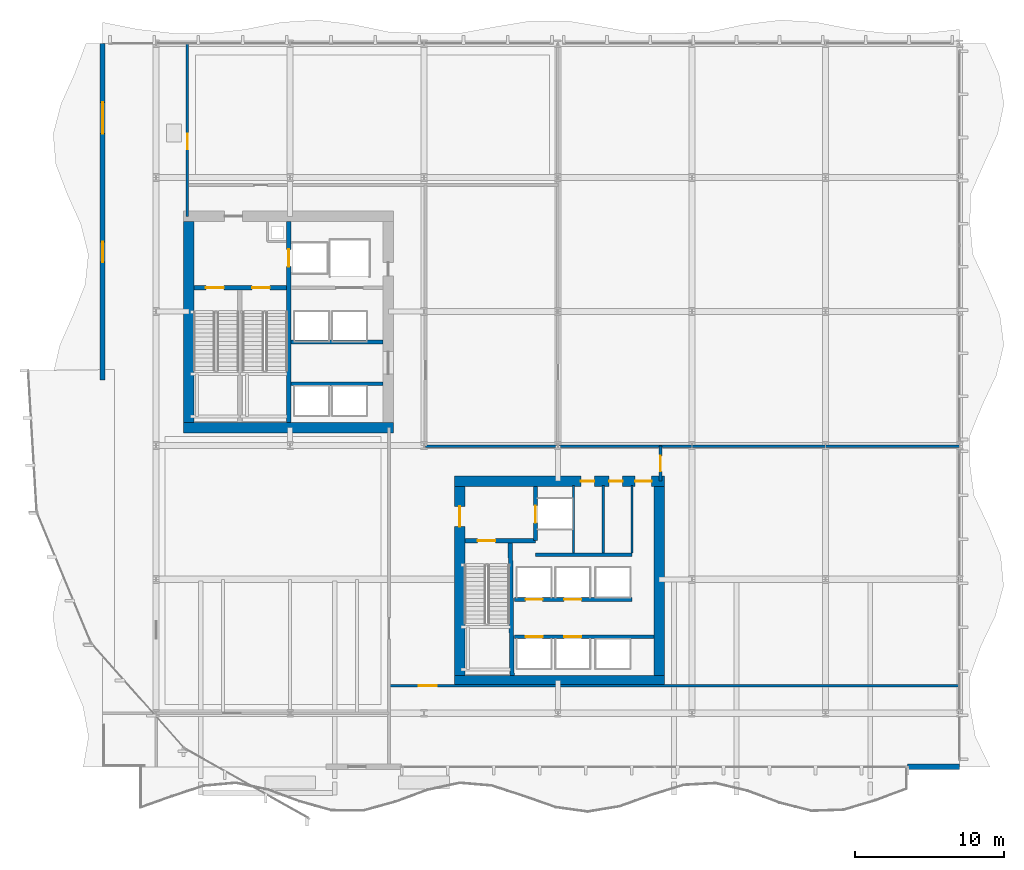
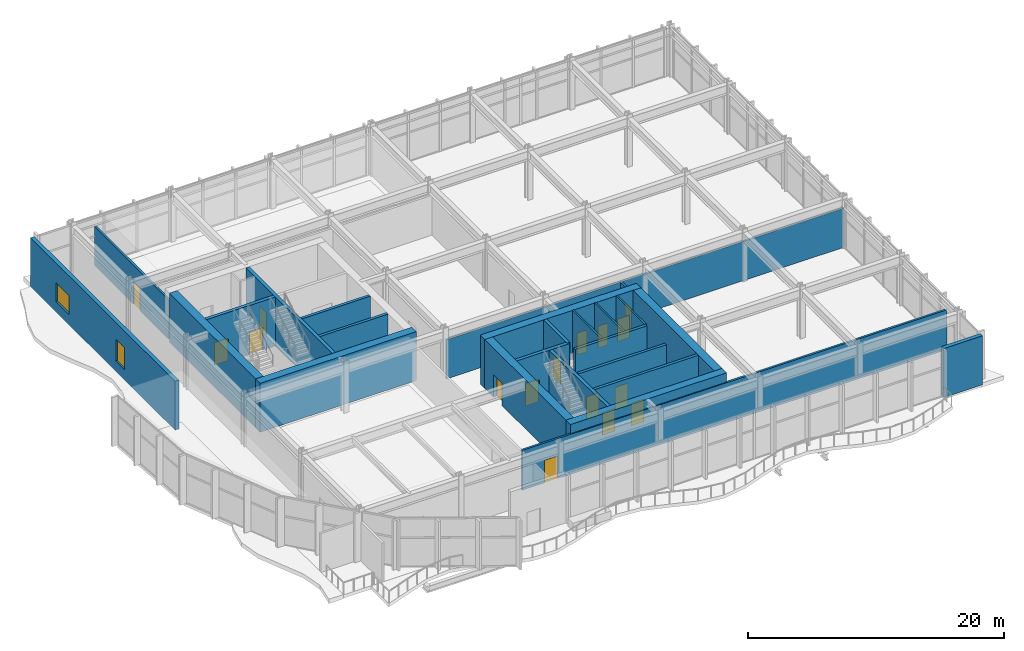
# One storey, part 20 of 28: 25 walls, 16 doors, 2 windows, 18 openings.
"""IFC4 building model written with IfcOpenShell, lengths in metres."""

from ifc_helpers import new_model, si_unit, direction, frame, frame_2d, origin, place, context, subcontext, project, spatial, rectangle, extrude, material, layer, layer_set, type_object, element, fill, save


model = new_model("IFC4")

# Units and contexts
model_context = context("Model", 3, precision=1e-05, world=origin(), true_north=direction((0.0, 1.0)))
body_context = subcontext(model_context, "Body", "Model", "MODEL_VIEW")
ifc_project = project(units=[si_unit("LENGTHUNIT", "METRE"), si_unit("AREAUNIT", "SQUARE_METRE"), si_unit("VOLUMEUNIT", "CUBIC_METRE"), si_unit("PLANEANGLEUNIT", "RADIAN"), si_unit("MASSUNIT", "GRAM", prefix="KILO")], contexts=[model_context])

# Site, building, storey
site_placement = place(None, origin())
site = spatial("IfcSite", under=ifc_project, at=site_placement, CompositionType="ELEMENT")
building_placement = place(site_placement, origin())
building = spatial("IfcBuilding", under=site, at=building_placement, Name="Solvaryn Broadcast Tower", CompositionType="ELEMENT")
storey_placement = place(building_placement, frame((0.0, 0.0, 16.199951171875)))
storey = spatial("IfcBuildingStorey", under=building, at=storey_placement, Name="L03", CompositionType="ELEMENT", Elevation=16.199951171875)

# Walls
ifc_material_1 = material(Name="Concrete f'c 70 MPa", Category="concrete")
ifc_layer_1 = layer(ifc_material_1, 0.699951171875)
ifc_layer_set_1 = layer_set([ifc_layer_1], Name="CW-SHEAR-700")
wall_type_1 = type_object("IfcWallType", Name="CW-SHEAR-700", PredefinedType="SHEAR", material=ifc_layer_set_1)
wall_1_placement = place(storey_placement, frame((10.85009765625, 28.199951171875, 0.0), z_axis=(0.0, 0.0, 1.0), x_axis=(1.0, 0.0, 0.0)))
element("IfcWall", 1, at=wall_1_placement, inside=storey, type_object=wall_type_1, Name="L03 West Core South Shear Wall", PredefinedType="SHEAR", context=body_context, shape_type="SweptSolid", body=[
    extrude(rectangle(XDim=14.099853515625, YDim=0.699951171875, at=frame_2d((7.0498046875, 0.0))), origin(), (0.0, 0.0, 1.0), 4.679931640625),
])
wall_2_placement = place(storey_placement, frame((11.199951171875, 42.050048828125, 0.0), z_axis=(0.0, 0.0, 1.0), x_axis=(0.0, -1.0, 0.0)))
element("IfcWall", 2, at=wall_2_placement, inside=storey, type_object=wall_type_1, Name="L03 West Core West Shear Wall", PredefinedType="SHEAR", context=body_context, shape_type="SweptSolid", body=[
    extrude(rectangle(XDim=13.5, YDim=0.699951171875, at=frame_2d((6.75, 0.0))), origin(), (0.0, 0.0, 1.0), 4.679931640625),
])
wall_3_placement = place(storey_placement, frame((29.050048828125, 11.199951171875, 0.0), z_axis=(0.0, 0.0, 1.0), x_axis=(1.0, 0.0, 0.0)))
element("IfcWall", 3, at=wall_3_placement, inside=storey, type_object=wall_type_1, Name="L03 East Core South Shear Wall", PredefinedType="SHEAR", context=body_context, shape_type="SweptSolid", body=[
    extrude(rectangle(XDim=14.099853515625, YDim=0.699951171875, at=frame_2d((7.0498046875, 0.0))), origin(), (0.0, 0.0, 1.0), 4.679931640625),
])

# Wall, openings, doors
wall_4_placement = place(storey_placement, frame((43.14990234375, 24.60009765625, 0.0), z_axis=(0.0, 0.0, 1.0), x_axis=(-1.0, 0.0, 0.0)))
wall_4 = element("IfcWall", 4, at=wall_4_placement, inside=storey, type_object=wall_type_1, Name="L03 East Core North Shear Wall", PredefinedType="SHEAR", context=body_context, shape_type="SweptSolid", body=[
    extrude(rectangle(XDim=14.099853515625, YDim=0.699951171875, at=frame_2d((7.0498046875, 0.0))), origin(), (0.0, 0.0, 1.0), 4.679931640625),
])
opening_1_placement = place(wall_4_placement, frame((0.85009765625, 0.0, 0.0)))
opening_1 = element("IfcOpeningElement", 5, at=opening_1_placement, cuts=wall_4, Name="Opening FD90C", PredefinedType="OPENING", context=body_context, shape_type="SweptSolid", body=[
    extrude(rectangle(XDim=1.10009765625, YDim=2.14990234375, at=frame_2d((0.550048828125, 1.074951171875))), frame((0.0, 0.360107421875, 0.0), z_axis=(0.0, -1.0, 0.0), x_axis=(1.0, 0.0, 0.0)), (0.0, 0.0, 1.0), 0.719970703125),
])
opening_2_placement = place(wall_4_placement, frame((2.800048828125, 0.0, 0.0)))
opening_2 = element("IfcOpeningElement", 6, at=opening_2_placement, cuts=wall_4, Name="Opening FD60C", PredefinedType="OPENING", context=body_context, shape_type="SweptSolid", body=[
    extrude(rectangle(XDim=0.89990234375, YDim=2.10009765625, at=frame_2d((0.449951171875, 1.050048828125))), frame((0.0, 0.360107421875, 0.0), z_axis=(0.0, -1.0, 0.0), x_axis=(1.0, 0.0, 0.0)), (0.0, 0.0, 1.0), 0.719970703125),
])
opening_3_placement = place(wall_4_placement, frame((4.699951171875, 0.0, 0.0)))
opening_3 = element("IfcOpeningElement", 7, at=opening_3_placement, cuts=wall_4, Name="Opening FD60C", PredefinedType="OPENING", context=body_context, shape_type="SweptSolid", body=[
    extrude(rectangle(XDim=0.89990234375, YDim=2.10009765625, at=frame_2d((0.449951171875, 1.050048828125))), frame((0.0, 0.360107421875, 0.0), z_axis=(0.0, -1.0, 0.0), x_axis=(1.0, 0.0, 0.0)), (0.0, 0.0, 1.0), 0.719970703125),
])
ifc_material_2 = material(Name="Flush Acoustic Steel and Timber Door Assembly", Category="steel")
door_type_1 = type_object("IfcDoorType", Name="FD60-SERV-900X2100", OperationType="NOTDEFINED", PredefinedType="DOOR", material=ifc_material_2)
door_1_placement = place(opening_2_placement, origin())
door_1 = element("IfcDoor", 8, at=door_1_placement, inside=storey, type_object=door_type_1, Name="L03 Staff Restroom Door", OperationType="SINGLE_SWING_LEFT", OverallHeight=2.10009765625, OverallWidth=0.89990234375, PredefinedType="DOOR", context=body_context, shape_type="SweptSolid", body=[
    extrude(rectangle(XDim=0.89990234375, YDim=2.10009765625, at=frame_2d((0.449951171875, 1.050048828125))), frame((0.0, 0.02490234375, 0.0), z_axis=(0.0, -1.0, 0.0), x_axis=(1.0, 0.0, 0.0)), (0.0, 0.0, 1.0), 0.050048828125),
])
fill(opening_2, door_1)
door_2_placement = place(opening_3_placement, origin())
door_2 = element("IfcDoor", 9, at=door_2_placement, inside=storey, type_object=door_type_1, Name="L03 Accessible WC Door", OperationType="SINGLE_SWING_RIGHT", OverallHeight=2.10009765625, OverallWidth=0.89990234375, PredefinedType="DOOR", context=body_context, shape_type="SweptSolid", body=[
    extrude(rectangle(XDim=0.89990234375, YDim=2.10009765625, at=frame_2d((0.449951171875, 1.050048828125))), frame((0.0, 0.02490234375, 0.0), z_axis=(0.0, -1.0, 0.0), x_axis=(1.0, 0.0, 0.0)), (0.0, 0.0, 1.0), 0.050048828125),
])
fill(opening_3, door_2)
ifc_material_3 = material(Name="Flush Acoustic Steel and Timber Door Assembly", Category="steel")
door_type_2 = type_object("IfcDoorType", Name="FD90-PLANT-1100X2150", OperationType="NOTDEFINED", PredefinedType="DOOR", material=ifc_material_3)
door_3_placement = place(opening_1_placement, origin())
door_3 = element("IfcDoor", 10, at=door_3_placement, inside=storey, type_object=door_type_2, Name="L03 East Core Lobby Corridor Door", OperationType="SINGLE_SWING_LEFT", OverallHeight=2.14990234375, OverallWidth=1.10009765625, PredefinedType="DOOR", context=body_context, shape_type="SweptSolid", body=[
    extrude(rectangle(XDim=1.10009765625, YDim=2.14990234375, at=frame_2d((0.550048828125, 1.074951171875))), frame((0.0, 0.02490234375, 0.0), z_axis=(0.0, -1.0, 0.0), x_axis=(1.0, 0.0, 0.0)), (0.0, 0.0, 1.0), 0.050048828125),
])
fill(opening_1, door_3)

# Wall, opening, door
wall_5_placement = place(storey_placement, frame((29.39990234375, 24.25, 0.0), z_axis=(0.0, 0.0, 1.0), x_axis=(0.0, -1.0, 0.0)))
wall_5 = element("IfcWall", 11, at=wall_5_placement, inside=storey, type_object=wall_type_1, Name="L03 East Core West Shear Wall", PredefinedType="SHEAR", context=body_context, shape_type="SweptSolid", body=[
    extrude(rectangle(XDim=12.699951171875, YDim=0.699951171875, at=frame_2d((6.35009765625, 0.0))), origin(), (0.0, 0.0, 1.0), 4.679931640625),
])
opening_4_placement = place(wall_5_placement, frame((1.35009765625, 0.0, 0.0)))
opening_4 = element("IfcOpeningElement", 12, at=opening_4_placement, cuts=wall_5, Name="Opening FD90B", PredefinedType="OPENING", context=body_context, shape_type="SweptSolid", body=[
    extrude(rectangle(XDim=1.35009765625, YDim=2.14990234375, at=frame_2d((0.675048828125, 1.074951171875))), frame((0.0, 0.360107421875, 0.0), z_axis=(0.0, -1.0, 0.0), x_axis=(1.0, 0.0, 0.0)), (0.0, 0.0, 1.0), 0.719970703125),
])
ifc_material_4 = material(Name="Flush Acoustic Steel and Timber Door Assembly", Category="steel")
door_type_3 = type_object("IfcDoorType", Name="FD90-LOBBY-1350X2150", OperationType="NOTDEFINED", PredefinedType="DOOR", material=ifc_material_4)
door_4_placement = place(opening_4_placement, origin())
door_4 = element("IfcDoor", 13, at=door_4_placement, inside=storey, type_object=door_type_3, Name="L03 East FSAE Lobby Door", OperationType="SINGLE_SWING_RIGHT", OverallHeight=2.14990234375, OverallWidth=1.35009765625, PredefinedType="DOOR", context=body_context, shape_type="SweptSolid", body=[
    extrude(rectangle(XDim=1.35009765625, YDim=2.14990234375, at=frame_2d((0.675048828125, 1.074951171875))), frame((0.0, 0.02490234375, 0.0), z_axis=(0.0, -1.0, 0.0), x_axis=(1.0, 0.0, 0.0)), (0.0, 0.0, 1.0), 0.050048828125),
])
fill(opening_4, door_4)

# Walls
wall_6_placement = place(storey_placement, frame((42.800048828125, 11.550048828125, 0.0), z_axis=(0.0, 0.0, 1.0), x_axis=(0.0, 1.0, 0.0)))
element("IfcWall", 14, at=wall_6_placement, inside=storey, type_object=wall_type_1, Name="L03 East Core East Shear Wall", PredefinedType="SHEAR", context=body_context, shape_type="SweptSolid", body=[
    extrude(rectangle(XDim=12.699951171875, YDim=0.699951171875, at=frame_2d((6.35009765625, 0.0))), origin(), (0.0, 0.0, 1.0), 4.679931640625),
])
ifc_material_5 = material(Name="Concrete f'c 50 MPa", Category="concrete")
ifc_layer_2 = layer(ifc_material_5, 0.35009765625)
ifc_layer_set_2 = layer_set([ifc_layer_2], Name="EW-STUDIO-350")
wall_type_2 = type_object("IfcWallType", Name="EW-STUDIO-350", PredefinedType="SOLIDWALL", material=ifc_layer_set_2)
wall_7_placement = place(storey_placement, frame((63.0, 5.39990234375, 0.0), z_axis=(0.0, 0.0, 1.0), x_axis=(-1.0, 0.0, 0.0)))
element("IfcWall", 15, at=wall_7_placement, inside=storey, type_object=wall_type_2, Name="L03 Podium SE Corner Pier Wall", PredefinedType="SOLIDWALL", context=body_context, shape_type="SweptSolid", body=[
    extrude(rectangle(XDim=3.5, YDim=0.35009765625, at=frame_2d((1.75, 0.0))), origin(), (0.0, 0.0, 1.0), 4.679931640625),
])

# Wall, openings, windows
wall_8_placement = place(storey_placement, frame((5.39990234375, 31.39990234375, 0.0), z_axis=(0.0, 0.0, 1.0), x_axis=(0.0, 1.0, 0.0)))
wall_8 = element("IfcWall", 16, at=wall_8_placement, inside=storey, type_object=wall_type_2, Name="L03 Podium West Door & Corner Wall", PredefinedType="SOLIDWALL", context=body_context, shape_type="SweptSolid", body=[
    extrude(rectangle(XDim=22.60009765625, YDim=0.35009765625, at=frame_2d((11.300048828125, 0.0))), origin(), (0.0, 0.0, 1.0), 4.679931640625),
])
opening_5_placement = place(wall_8_placement, frame((7.925048828125, 0.0, 1.0)))
opening_5 = element("IfcOpeningElement", 17, at=opening_5_placement, cuts=wall_8, Name="Opening WN08", PredefinedType="OPENING", context=body_context, shape_type="SweptSolid", body=[
    extrude(rectangle(XDim=1.35009765625, YDim=2.10009765625, at=frame_2d((0.675048828125, 1.050048828125))), frame((0.0, 0.18505859375, 0.0), z_axis=(0.0, -1.0, 0.0), x_axis=(1.0, 0.0, 0.0)), (0.0, 0.0, 1.0), 0.3701171875),
])
opening_6_placement = place(wall_8_placement, frame((16.550048828125, 0.0, 1.0)))
opening_6 = element("IfcOpeningElement", 18, at=opening_6_placement, cuts=wall_8, Name="Opening WN04", PredefinedType="OPENING", context=body_context, shape_type="SweptSolid", body=[
    extrude(rectangle(XDim=2.10009765625, YDim=1.800048828125, at=frame_2d((1.050048828125, 0.89990234375))), frame((0.0, 0.18505859375, 0.0), z_axis=(0.0, -1.0, 0.0), x_axis=(1.0, 0.0, 0.0)), (0.0, 0.0, 1.0), 0.3701171875),
])
ifc_material_6 = material(Name="Thermally Broken Aluminium Acoustic Glazing", Category="aluminium")
window_type_1 = type_object("IfcWindowType", Name="WN-04-2100X1800", PartitioningType="SINGLE_PANEL", PredefinedType="WINDOW", material=ifc_material_6)
window_1_placement = place(opening_6_placement, origin())
window_1 = element("IfcWindow", 19, at=window_1_placement, inside=storey, type_object=window_type_1, Name="L03 West Studio Acoustic Window 2", OverallHeight=1.800048828125, OverallWidth=2.10009765625, PartitioningType="SINGLE_PANEL", PredefinedType="WINDOW", context=body_context, shape_type="SweptSolid", body=[
    extrude(rectangle(XDim=2.10009765625, YDim=1.800048828125, at=frame_2d((1.050048828125, 0.89990234375))), frame((0.0, 0.030029296875, 0.0), z_axis=(0.0, -1.0, 0.0), x_axis=(1.0, 0.0, 0.0)), (0.0, 0.0, 1.0), 0.06005859375),
])
fill(opening_6, window_1)
ifc_material_7 = material(Name="Thermally Broken Aluminium Acoustic Glazing", Category="aluminium")
window_type_2 = type_object("IfcWindowType", Name="WN-08-1350X2100", PartitioningType="SINGLE_PANEL", PredefinedType="WINDOW", material=ifc_material_7)
window_2_placement = place(opening_5_placement, origin())
window_2 = element("IfcWindow", 20, at=window_2_placement, inside=storey, type_object=window_type_2, Name="L03 West Studio Acoustic Window 1", OverallHeight=2.10009765625, OverallWidth=1.35009765625, PartitioningType="SINGLE_PANEL", PredefinedType="WINDOW", context=body_context, shape_type="SweptSolid", body=[
    extrude(rectangle(XDim=1.35009765625, YDim=2.10009765625, at=frame_2d((0.675048828125, 1.050048828125))), frame((0.0, 0.030029296875, 0.0), z_axis=(0.0, -1.0, 0.0), x_axis=(1.0, 0.0, 0.0)), (0.0, 0.0, 1.0), 0.06005859375),
])
fill(opening_5, window_2)

# Walls
ifc_material_8 = material(Name="Metal-Stud Service Core Partition")
ifc_layer_3 = layer(ifc_material_8, 0.14990234375)
ifc_layer_set_3 = layer_set([ifc_layer_3], Name="IW-PART-150")
wall_type_3 = type_object("IfcWallType", Name="IW-PART-150", PredefinedType="PARTITIONING", material=ifc_layer_set_3)
for number, where, z_axis, x_axis, name in (
    (21, (37.050048828125, 19.780029296875, 0.0), (0.0, 0.0, 1.0), (0.0, 1.0, 0.0), "L03 Interior Partition IW-L03-CE-FL2E"),
    (22, (39.050048828125, 19.780029296875, 0.0), (0.0, 0.0, 1.0), (0.0, 1.0, 0.0), "L03 Interior Partition IW-L03-CE-V1"),
    (23, (40.97998046875, 19.780029296875, 0.0), (0.0, 0.0, 1.0), (0.0, 1.0, 0.0), "L03 Interior Partition IW-L03-CE-V3"),
):
    element("IfcWall", number, at=place(storey_placement, frame(where, z_axis=z_axis, x_axis=x_axis)), inside=storey, type_object=wall_type_3, Name=name, PredefinedType="PARTITIONING", context=body_context, shape_type="SweptSolid", body=[
        extrude(rectangle(XDim=4.52001953125, YDim=0.14990234375, at=frame_2d((2.260009765625, 0.0))), origin(), (0.0, 0.0, 1.0), 4.679931640625),
    ])

# Wall, opening, door
ifc_material_9 = material(Name="Acoustic Metal-Stud Gypsum Partition")
ifc_layer_4 = layer(ifc_material_9, 0.179931640625)
ifc_layer_set_4 = layer_set([ifc_layer_4], Name="IW-PART-180")
wall_type_4 = type_object("IfcWallType", Name="IW-PART-180", PredefinedType="PARTITIONING", material=ifc_layer_set_4)
wall_9_placement = place(storey_placement, frame((24.64990234375, 10.85009765625, 0.0), z_axis=(0.0, 0.0, 1.0), x_axis=(1.0, 0.0, 0.0)))
wall_9 = element("IfcWall", 24, at=wall_9_placement, inside=storey, type_object=wall_type_4, Name="L03 Interior Partition IW-L03-PW2", PredefinedType="PARTITIONING", context=body_context, shape_type="SweptSolid", body=[
    extrude(rectangle(XDim=38.35009765625, YDim=0.179931640625, at=frame_2d((19.175048828125, 0.0))), origin(), (0.0, 0.0, 1.0), 3.804931640625),
])
opening_7_placement = place(wall_9_placement, frame((2.0, 0.0, 0.0)))
opening_7 = element("IfcOpeningElement", 25, at=opening_7_placement, cuts=wall_9, Name="Opening ID04", PredefinedType="OPENING", context=body_context, shape_type="SweptSolid", body=[
    extrude(rectangle(XDim=1.199951171875, YDim=2.14990234375, at=frame_2d((0.60009765625, 1.074951171875))), frame((0.0, 0.099853515625, 0.0), z_axis=(0.0, -1.0, 0.0), x_axis=(1.0, 0.0, 0.0)), (0.0, 0.0, 1.0), 0.199951171875),
])
ifc_material_10 = material(Name="Flush Acoustic Steel and Timber Door Assembly", Category="steel")
door_type_4 = type_object("IfcDoorType", Name="ID-04-1200X2150", OperationType="NOTDEFINED", PredefinedType="DOOR", material=ifc_material_10)
door_5_placement = place(opening_7_placement, origin())
door_5 = element("IfcDoor", 26, at=door_5_placement, inside=storey, type_object=door_type_4, Name="L03 Door DR-L03-PD2", OperationType="SINGLE_SWING_RIGHT", OverallHeight=2.14990234375, OverallWidth=1.199951171875, PredefinedType="DOOR", context=body_context, shape_type="SweptSolid", body=[
    extrude(rectangle(XDim=1.199951171875, YDim=2.14990234375, at=frame_2d((0.60009765625, 1.074951171875))), frame((0.0, 0.02490234375, 0.0), z_axis=(0.0, -1.0, 0.0), x_axis=(1.0, 0.0, 0.0)), (0.0, 0.0, 1.0), 0.050048828125),
])
fill(opening_7, door_5)

wall_10_placement = place(storey_placement, frame((42.89990234375, 24.60009765625, 0.0), z_axis=(0.0, 0.0, 1.0), x_axis=(0.0, 1.0, 0.0)))
wall_10 = element("IfcWall", 27, at=wall_10_placement, inside=storey, type_object=wall_type_4, Name="L03 Interior Partition IW-L03-PW4", PredefinedType="PARTITIONING", context=body_context, shape_type="SweptSolid", body=[
    extrude(rectangle(XDim=2.349853515625, YDim=0.179931640625, at=frame_2d((1.1748046875, 0.0))), origin(), (0.0, 0.0, 1.0), 3.733154296875),
])
opening_8_placement = place(wall_10_placement, frame((0.64990234375, 0.0, 0.0)))
opening_8 = element("IfcOpeningElement", 28, at=opening_8_placement, cuts=wall_10, Name="Opening ID03", PredefinedType="OPENING", context=body_context, shape_type="SweptSolid", body=[
    extrude(rectangle(XDim=1.050048828125, YDim=2.14990234375, at=frame_2d((0.52490234375, 1.074951171875))), frame((0.0, 0.099853515625, 0.0), z_axis=(0.0, -1.0, 0.0), x_axis=(1.0, 0.0, 0.0)), (0.0, 0.0, 1.0), 0.199951171875),
])
ifc_material_11 = material(Name="Flush Acoustic Steel and Timber Door Assembly", Category="steel")
door_type_5 = type_object("IfcDoorType", Name="ID-03-1050X2150", OperationType="NOTDEFINED", PredefinedType="DOOR", material=ifc_material_11)
door_6_placement = place(opening_8_placement, origin())
door_6 = element("IfcDoor", 29, at=door_6_placement, inside=storey, type_object=door_type_5, Name="L03 Door DR-L03-PD3", OperationType="SINGLE_SWING_LEFT", OverallHeight=2.14990234375, OverallWidth=1.050048828125, PredefinedType="DOOR", context=body_context, shape_type="SweptSolid", body=[
    extrude(rectangle(XDim=1.050048828125, YDim=2.14990234375, at=frame_2d((0.52490234375, 1.074951171875))), frame((0.0, 0.02490234375, 0.0), z_axis=(0.0, -1.0, 0.0), x_axis=(1.0, 0.0, 0.0)), (0.0, 0.0, 1.0), 0.050048828125),
])
fill(opening_8, door_6)

# Wall
wall_11_placement = place(storey_placement, frame((27.10009765625, 26.949951171875, 0.0), z_axis=(0.0, 0.0, 1.0), x_axis=(1.0, 0.0, 0.0)))
element("IfcWall", 30, at=wall_11_placement, inside=storey, type_object=wall_type_4, Name="L03 Interior Partition IW-L03-PW5", PredefinedType="PARTITIONING", context=body_context, shape_type="SweptSolid", body=[
    extrude(rectangle(XDim=35.89990234375, YDim=0.179931640625, at=frame_2d((17.949951171875, 0.0))), origin(), (0.0, 0.0, 1.0), 3.733154296875),
])

# Wall, opening, door
wall_12_placement = place(storey_placement, frame((11.10009765625, 42.39990234375, 0.0), z_axis=(0.0, 0.0, 1.0), x_axis=(0.0, 1.0, 0.0)))
wall_12 = element("IfcWall", 31, at=wall_12_placement, inside=storey, type_object=wall_type_4, Name="L03 Interior Partition IW-L03-PW9", PredefinedType="PARTITIONING", context=body_context, shape_type="SweptSolid", body=[
    extrude(rectangle(XDim=11.60009765625, YDim=0.179931640625, at=frame_2d((5.800048828125, 0.0))), origin(), (0.0, 0.0, 1.0), 3.733154296875),
])
opening_9_placement = place(wall_12_placement, frame((4.5, 0.0, 0.0)))
opening_9 = element("IfcOpeningElement", 32, at=opening_9_placement, cuts=wall_12, Name="Opening ID03", PredefinedType="OPENING", context=body_context, shape_type="SweptSolid", body=[
    extrude(rectangle(XDim=1.050048828125, YDim=2.14990234375, at=frame_2d((0.52490234375, 1.074951171875))), frame((0.0, 0.099853515625, 0.0), z_axis=(0.0, -1.0, 0.0), x_axis=(1.0, 0.0, 0.0)), (0.0, 0.0, 1.0), 0.199951171875),
])
door_7_placement = place(opening_9_placement, origin())
door_7 = element("IfcDoor", 33, at=door_7_placement, inside=storey, type_object=door_type_5, Name="L03 Door DR-L03-PDN", OperationType="SINGLE_SWING_RIGHT", OverallHeight=2.14990234375, OverallWidth=1.050048828125, PredefinedType="DOOR", context=body_context, shape_type="SweptSolid", body=[
    extrude(rectangle(XDim=1.050048828125, YDim=2.14990234375, at=frame_2d((0.52490234375, 1.074951171875))), frame((0.0, 0.02490234375, 0.0), z_axis=(0.0, -1.0, 0.0), x_axis=(1.0, 0.0, 0.0)), (0.0, 0.0, 1.0), 0.050048828125),
])
fill(opening_9, door_7)

# Walls
ifc_material_12 = material(Name="Concrete f'c 60 MPa", Category="concrete")
ifc_layer_5 = layer(ifc_material_12, 0.25)
ifc_layer_set_5 = layer_set([ifc_layer_5], Name="SW-SHAFT-250")
wall_type_5 = type_object("IfcWallType", Name="SW-SHAFT-250", PredefinedType="PARTITIONING", material=ifc_layer_set_5)
for number, where, z_axis, x_axis, name in (
    (34, (18.070068359375, 31.14990234375, 0.0), (0.0, 0.0, 1.0), (1.0, 0.0, 0.0), "L03 High-Rise Lift Bank South Wall"),
    (35, (24.25, 33.949951171875, 0.0), (0.0, 0.0, 1.0), (-1.0, 0.0, 0.0), "L03 High-Rise Lift Bank North Wall"),
):
    element("IfcWall", number, at=place(storey_placement, frame(where, z_axis=z_axis, x_axis=x_axis)), inside=storey, type_object=wall_type_5, Name=name, PredefinedType="PARTITIONING", context=body_context, shape_type="SweptSolid", body=[
        extrude(rectangle(XDim=6.179931640625, YDim=0.25, at=frame_2d((3.08984375, 0.0))), origin(), (0.0, 0.0, 1.0), 4.679931640625),
    ])

# Wall, opening, door
wall_13_placement = place(storey_placement, frame((34.5, 20.60009765625, 0.0), z_axis=(0.0, 0.0, 1.0), x_axis=(0.0, 1.0, 0.0)))
wall_13 = element("IfcWall", 36, at=wall_13_placement, inside=storey, type_object=wall_type_5, Name="L03 East FSAE Lobby East Wall", PredefinedType="PARTITIONING", context=body_context, shape_type="SweptSolid", body=[
    extrude(rectangle(XDim=3.64990234375, YDim=0.25, at=frame_2d((1.824951171875, 0.0))), origin(), (0.0, 0.0, 1.0), 4.679931640625),
])
opening_10_placement = place(wall_13_placement, frame((1.199951171875, 0.0, 0.0)))
opening_10 = element("IfcOpeningElement", 37, at=opening_10_placement, cuts=wall_13, Name="Opening LD01", PredefinedType="OPENING", context=body_context, shape_type="SweptSolid", body=[
    extrude(rectangle(XDim=1.14990234375, YDim=2.14990234375, at=frame_2d((0.574951171875, 1.074951171875))), frame((0.0, 0.135009765625, 0.0), z_axis=(0.0, -1.0, 0.0), x_axis=(1.0, 0.0, 0.0)), (0.0, 0.0, 1.0), 0.27001953125),
])
ifc_material_13 = material(Name="Flush Acoustic Steel and Timber Door Assembly", Category="steel")
door_type_6 = type_object("IfcDoorType", Name="LD-LIFT-1150X2150", OperationType="NOTDEFINED", PredefinedType="DOOR", material=ifc_material_13)
door_8_placement = place(opening_10_placement, origin())
door_8 = element("IfcDoor", 38, at=door_8_placement, inside=storey, type_object=door_type_6, Name="L03 FL2 Lift Landing Door", OperationType="DOUBLE_DOOR_SLIDING", OverallHeight=2.14990234375, OverallWidth=1.14990234375, PredefinedType="DOOR", context=body_context, shape_type="SweptSolid", body=[
    extrude(rectangle(XDim=1.14990234375, YDim=2.14990234375, at=frame_2d((0.574951171875, 1.074951171875))), frame((0.0, 0.02490234375, 0.0), z_axis=(0.0, -1.0, 0.0), x_axis=(1.0, 0.0, 0.0)), (0.0, 0.0, 1.0), 0.050048828125),
])
fill(opening_10, door_8)

# Wall
wall_14_placement = place(storey_placement, frame((34.5, 19.64990234375, 0.0), z_axis=(0.0, 0.0, 1.0), x_axis=(1.0, 0.0, 0.0)))
element("IfcWall", 39, at=wall_14_placement, inside=storey, type_object=wall_type_5, Name="L03 East Core Restroom South Wall", PredefinedType="PARTITIONING", context=body_context, shape_type="SweptSolid", body=[
    extrude(rectangle(XDim=6.47998046875, YDim=0.25, at=frame_2d((3.239990234375, 0.0))), origin(), (0.0, 0.0, 1.0), 4.679931640625),
])

# Wall, openings, doors
wall_15_placement = place(storey_placement, frame((33.070068359375, 14.14990234375, 0.0), z_axis=(0.0, 0.0, 1.0), x_axis=(1.0, 0.0, 0.0)))
wall_15 = element("IfcWall", 40, at=wall_15_placement, inside=storey, type_object=wall_type_5, Name="L03 East Lift Bank South Wall", PredefinedType="PARTITIONING", context=body_context, shape_type="SweptSolid", body=[
    extrude(rectangle(XDim=9.3798828125, YDim=0.25, at=frame_2d((4.68994140625, 0.0))), origin(), (0.0, 0.0, 1.0), 4.679931640625),
])
opening_11_placement = place(wall_15_placement, frame((0.7548828125, 0.0, 0.0)))
opening_11 = element("IfcOpeningElement", 41, at=opening_11_placement, cuts=wall_15, Name="Opening LD01", PredefinedType="OPENING", context=body_context, shape_type="SweptSolid", body=[
    extrude(rectangle(XDim=1.14990234375, YDim=2.14990234375, at=frame_2d((0.574951171875, 1.074951171875))), frame((0.0, 0.135009765625, 0.0), z_axis=(0.0, -1.0, 0.0), x_axis=(1.0, 0.0, 0.0)), (0.0, 0.0, 1.0), 0.27001953125),
])
opening_12_placement = place(wall_15_placement, frame((3.35498046875, 0.0, 0.0)))
opening_12 = element("IfcOpeningElement", 42, at=opening_12_placement, cuts=wall_15, Name="Opening LD01", PredefinedType="OPENING", context=body_context, shape_type="SweptSolid", body=[
    extrude(rectangle(XDim=1.14990234375, YDim=2.14990234375, at=frame_2d((0.574951171875, 1.074951171875))), frame((0.0, 0.135009765625, 0.0), z_axis=(0.0, -1.0, 0.0), x_axis=(1.0, 0.0, 0.0)), (0.0, 0.0, 1.0), 0.27001953125),
])
door_9_placement = place(opening_11_placement, origin())
door_9 = element("IfcDoor", 43, at=door_9_placement, inside=storey, type_object=door_type_6, Name="L03 PL1 Lift Landing Door", OperationType="DOUBLE_DOOR_SLIDING", OverallHeight=2.14990234375, OverallWidth=1.14990234375, PredefinedType="DOOR", context=body_context, shape_type="SweptSolid", body=[
    extrude(rectangle(XDim=1.14990234375, YDim=2.14990234375, at=frame_2d((0.574951171875, 1.074951171875))), frame((0.0, 0.02490234375, 0.0), z_axis=(0.0, -1.0, 0.0), x_axis=(1.0, 0.0, 0.0)), (0.0, 0.0, 1.0), 0.050048828125),
])
fill(opening_11, door_9)
door_10_placement = place(opening_12_placement, origin())
door_10 = element("IfcDoor", 44, at=door_10_placement, inside=storey, type_object=door_type_6, Name="L03 PL2 Lift Landing Door", OperationType="DOUBLE_DOOR_SLIDING", OverallHeight=2.14990234375, OverallWidth=1.14990234375, PredefinedType="DOOR", context=body_context, shape_type="SweptSolid", body=[
    extrude(rectangle(XDim=1.14990234375, YDim=2.14990234375, at=frame_2d((0.574951171875, 1.074951171875))), frame((0.0, 0.02490234375, 0.0), z_axis=(0.0, -1.0, 0.0), x_axis=(1.0, 0.0, 0.0)), (0.0, 0.0, 1.0), 0.050048828125),
])
fill(opening_12, door_10)

wall_16_placement = place(storey_placement, frame((40.97998046875, 16.64990234375, 0.0), z_axis=(0.0, 0.0, 1.0), x_axis=(-1.0, 0.0, 0.0)))
wall_16 = element("IfcWall", 45, at=wall_16_placement, inside=storey, type_object=wall_type_5, Name="L03 East Lift Bank North Wall", PredefinedType="PARTITIONING", context=body_context, shape_type="SweptSolid", body=[
    extrude(rectangle(XDim=7.909912109375, YDim=0.25, at=frame_2d((3.955078125, 0.0))), origin(), (0.0, 0.0, 1.0), 4.679931640625),
])
opening_13_placement = place(wall_16_placement, frame((6.0048828125, 0.0, 0.0)))
opening_13 = element("IfcOpeningElement", 46, at=opening_13_placement, cuts=wall_16, Name="Opening LD01", PredefinedType="OPENING", context=body_context, shape_type="SweptSolid", body=[
    extrude(rectangle(XDim=1.14990234375, YDim=2.14990234375, at=frame_2d((0.574951171875, 1.074951171875))), frame((0.0, 0.135009765625, 0.0), z_axis=(0.0, -1.0, 0.0), x_axis=(1.0, 0.0, 0.0)), (0.0, 0.0, 1.0), 0.27001953125),
])
opening_14_placement = place(wall_16_placement, frame((3.405029296875, 0.0, 0.0)))
opening_14 = element("IfcOpeningElement", 47, at=opening_14_placement, cuts=wall_16, Name="Opening LD01", PredefinedType="OPENING", context=body_context, shape_type="SweptSolid", body=[
    extrude(rectangle(XDim=1.14990234375, YDim=2.14990234375, at=frame_2d((0.574951171875, 1.074951171875))), frame((0.0, 0.135009765625, 0.0), z_axis=(0.0, -1.0, 0.0), x_axis=(1.0, 0.0, 0.0)), (0.0, 0.0, 1.0), 0.27001953125),
])
door_11_placement = place(opening_13_placement, origin())
door_11 = element("IfcDoor", 48, at=door_11_placement, inside=storey, type_object=door_type_6, Name="L03 PL3 Lift Landing Door", OperationType="DOUBLE_DOOR_SLIDING", OverallHeight=2.14990234375, OverallWidth=1.14990234375, PredefinedType="DOOR", context=body_context, shape_type="SweptSolid", body=[
    extrude(rectangle(XDim=1.14990234375, YDim=2.14990234375, at=frame_2d((0.574951171875, 1.074951171875))), frame((0.0, 0.02490234375, 0.0), z_axis=(0.0, -1.0, 0.0), x_axis=(1.0, 0.0, 0.0)), (0.0, 0.0, 1.0), 0.050048828125),
])
fill(opening_13, door_11)
door_12_placement = place(opening_14_placement, origin())
door_12 = element("IfcDoor", 49, at=door_12_placement, inside=storey, type_object=door_type_6, Name="L03 PL4 Lift Landing Door", OperationType="DOUBLE_DOOR_SLIDING", OverallHeight=2.14990234375, OverallWidth=1.14990234375, PredefinedType="DOOR", context=body_context, shape_type="SweptSolid", body=[
    extrude(rectangle(XDim=1.14990234375, YDim=2.14990234375, at=frame_2d((0.574951171875, 1.074951171875))), frame((0.0, 0.02490234375, 0.0), z_axis=(0.0, -1.0, 0.0), x_axis=(1.0, 0.0, 0.0)), (0.0, 0.0, 1.0), 0.050048828125),
])
fill(opening_14, door_12)

# Wall, opening, door
ifc_material_14 = material(Name="Concrete f'c 70 MPa", Category="concrete")
ifc_layer_6 = layer(ifc_material_14, 0.300048828125)
ifc_layer_set_6 = layer_set([ifc_layer_6], Name="SW-SHAFT-300")
wall_type_6 = type_object("IfcWallType", Name="SW-SHAFT-300", PredefinedType="SHEAR", material=ifc_layer_set_6)
wall_17_placement = place(storey_placement, frame((17.919921875, 42.050048828125, 0.0), z_axis=(0.0, 0.0, 1.0), x_axis=(0.0, -1.0, 0.0)))
wall_17 = element("IfcWall", 50, at=wall_17_placement, inside=storey, type_object=wall_type_6, Name="L03 West Core Stair-Lobby Shear Wall", PredefinedType="SHEAR", context=body_context, shape_type="SweptSolid", body=[
    extrude(rectangle(XDim=13.5, YDim=0.300048828125, at=frame_2d((6.75, 0.0))), origin(), (0.0, 0.0, 1.0), 4.679931640625),
])
opening_15_placement = place(wall_17_placement, frame((1.875, 0.0, 0.0)))
opening_15 = element("IfcOpeningElement", 51, at=opening_15_placement, cuts=wall_17, Name="Opening LD01", PredefinedType="OPENING", context=body_context, shape_type="SweptSolid", body=[
    extrude(rectangle(XDim=1.14990234375, YDim=2.14990234375, at=frame_2d((0.574951171875, 1.074951171875))), frame((0.0, 0.159912109375, 0.0), z_axis=(0.0, -1.0, 0.0), x_axis=(1.0, 0.0, 0.0)), (0.0, 0.0, 1.0), 0.320068359375),
])
door_13_placement = place(opening_15_placement, origin())
door_13 = element("IfcDoor", 52, at=door_13_placement, inside=storey, type_object=door_type_6, Name="L03 FL1 Lift Landing Door", OperationType="DOUBLE_DOOR_SLIDING", OverallHeight=2.14990234375, OverallWidth=1.14990234375, PredefinedType="DOOR", context=body_context, shape_type="SweptSolid", body=[
    extrude(rectangle(XDim=1.14990234375, YDim=2.14990234375, at=frame_2d((0.574951171875, 1.074951171875))), frame((0.0, 0.02490234375, 0.0), z_axis=(0.0, -1.0, 0.0), x_axis=(1.0, 0.0, 0.0)), (0.0, 0.0, 1.0), 0.050048828125),
])
fill(opening_15, door_13)

# Wall, openings, doors
wall_18_placement = place(storey_placement, frame((17.77001953125, 37.60009765625, 0.0), z_axis=(0.0, 0.0, 1.0), x_axis=(-1.0, 0.0, 0.0)))
wall_18 = element("IfcWall", 53, at=wall_18_placement, inside=storey, type_object=wall_type_6, Name="L03 West Core FSAE Lobby South Wall", PredefinedType="SHEAR", context=body_context, shape_type="SweptSolid", body=[
    extrude(rectangle(XDim=6.219970703125, YDim=0.300048828125, at=frame_2d((3.10986328125, 0.0))), origin(), (0.0, 0.0, 1.0), 4.679931640625),
])
opening_16_placement = place(wall_18_placement, frame((4.219970703125, 0.0, 0.0)))
opening_16 = element("IfcOpeningElement", 54, at=opening_16_placement, cuts=wall_18, Name="Opening FD90A", PredefinedType="OPENING", context=body_context, shape_type="SweptSolid", body=[
    extrude(rectangle(XDim=1.199951171875, YDim=2.14990234375, at=frame_2d((0.60009765625, 1.074951171875))), frame((0.0, 0.159912109375, 0.0), z_axis=(0.0, -1.0, 0.0), x_axis=(1.0, 0.0, 0.0)), (0.0, 0.0, 1.0), 0.320068359375),
])
opening_17_placement = place(wall_18_placement, frame((1.1201171875, 0.0, 0.0)))
opening_17 = element("IfcOpeningElement", 55, at=opening_17_placement, cuts=wall_18, Name="Opening FD90A", PredefinedType="OPENING", context=body_context, shape_type="SweptSolid", body=[
    extrude(rectangle(XDim=1.199951171875, YDim=2.14990234375, at=frame_2d((0.60009765625, 1.074951171875))), frame((0.0, 0.159912109375, 0.0), z_axis=(0.0, -1.0, 0.0), x_axis=(1.0, 0.0, 0.0)), (0.0, 0.0, 1.0), 0.320068359375),
])
ifc_material_15 = material(Name="Flush Acoustic Steel and Timber Door Assembly", Category="steel")
door_type_7 = type_object("IfcDoorType", Name="FD90-STAIR-1200X2150", OperationType="NOTDEFINED", PredefinedType="DOOR", material=ifc_material_15)
door_14_placement = place(opening_16_placement, origin())
door_14 = element("IfcDoor", 56, at=door_14_placement, inside=storey, type_object=door_type_7, Name="L03 Stair 1 Fire Door", OperationType="SINGLE_SWING_LEFT", OverallHeight=2.14990234375, OverallWidth=1.199951171875, PredefinedType="DOOR", context=body_context, shape_type="SweptSolid", body=[
    extrude(rectangle(XDim=1.199951171875, YDim=2.14990234375, at=frame_2d((0.60009765625, 1.074951171875))), frame((0.0, 0.02490234375, 0.0), z_axis=(0.0, -1.0, 0.0), x_axis=(1.0, 0.0, 0.0)), (0.0, 0.0, 1.0), 0.050048828125),
])
fill(opening_16, door_14)
door_15_placement = place(opening_17_placement, origin())
door_15 = element("IfcDoor", 57, at=door_15_placement, inside=storey, type_object=door_type_7, Name="L03 Stair 2 Fire Door", OperationType="SINGLE_SWING_RIGHT", OverallHeight=2.14990234375, OverallWidth=1.199951171875, PredefinedType="DOOR", context=body_context, shape_type="SweptSolid", body=[
    extrude(rectangle(XDim=1.199951171875, YDim=2.14990234375, at=frame_2d((0.60009765625, 1.074951171875))), frame((0.0, 0.02490234375, 0.0), z_axis=(0.0, -1.0, 0.0), x_axis=(1.0, 0.0, 0.0)), (0.0, 0.0, 1.0), 0.050048828125),
])
fill(opening_17, door_15)

# Wall
wall_19_placement = place(storey_placement, frame((32.919921875, 11.550048828125, 0.0), z_axis=(0.0, 0.0, 1.0), x_axis=(-0.01331804616, 0.99991131089, 0.0)))
element("IfcWall", 58, at=wall_19_placement, inside=storey, type_object=wall_type_6, Name="L03 Stair 3 East Shear Wall", PredefinedType="SHEAR", context=body_context, shape_type="SweptSolid", body=[
    extrude(rectangle(XDim=9.000732421875, YDim=0.300048828125, at=frame_2d((4.50048828125, 0.0))), origin(), (0.0, 0.0, 1.0), 4.679931640625),
])

# Wall, opening, door
wall_20_placement = place(storey_placement, frame((34.5, 20.60009765625, 0.0), z_axis=(0.0, 0.0, 1.0), x_axis=(-1.0, 0.0, 0.0)))
wall_20 = element("IfcWall", 59, at=wall_20_placement, inside=storey, type_object=wall_type_6, Name="L03 East FSAE Lobby South Wall", PredefinedType="SHEAR", context=body_context, shape_type="SweptSolid", body=[
    extrude(rectangle(XDim=4.75, YDim=0.300048828125, at=frame_2d((2.375, 0.0))), origin(), (0.0, 0.0, 1.0), 4.679931640625),
])
opening_18_placement = place(wall_20_placement, frame((2.699951171875, 0.0, 0.0)))
opening_18 = element("IfcOpeningElement", 60, at=opening_18_placement, cuts=wall_20, Name="Opening FD90A", PredefinedType="OPENING", context=body_context, shape_type="SweptSolid", body=[
    extrude(rectangle(XDim=1.199951171875, YDim=2.14990234375, at=frame_2d((0.60009765625, 1.074951171875))), frame((0.0, 0.159912109375, 0.0), z_axis=(0.0, -1.0, 0.0), x_axis=(1.0, 0.0, 0.0)), (0.0, 0.0, 1.0), 0.320068359375),
])
door_16_placement = place(opening_18_placement, origin())
door_16 = element("IfcDoor", 61, at=door_16_placement, inside=storey, type_object=door_type_7, Name="L03 Stair 3 Fire Door", OperationType="SINGLE_SWING_LEFT", OverallHeight=2.14990234375, OverallWidth=1.199951171875, PredefinedType="DOOR", context=body_context, shape_type="SweptSolid", body=[
    extrude(rectangle(XDim=1.199951171875, YDim=2.14990234375, at=frame_2d((0.60009765625, 1.074951171875))), frame((0.0, 0.02490234375, 0.0), z_axis=(0.0, -1.0, 0.0), x_axis=(1.0, 0.0, 0.0)), (0.0, 0.0, 1.0), 0.050048828125),
])
fill(opening_18, door_16)

save(model, "model.ifc")
